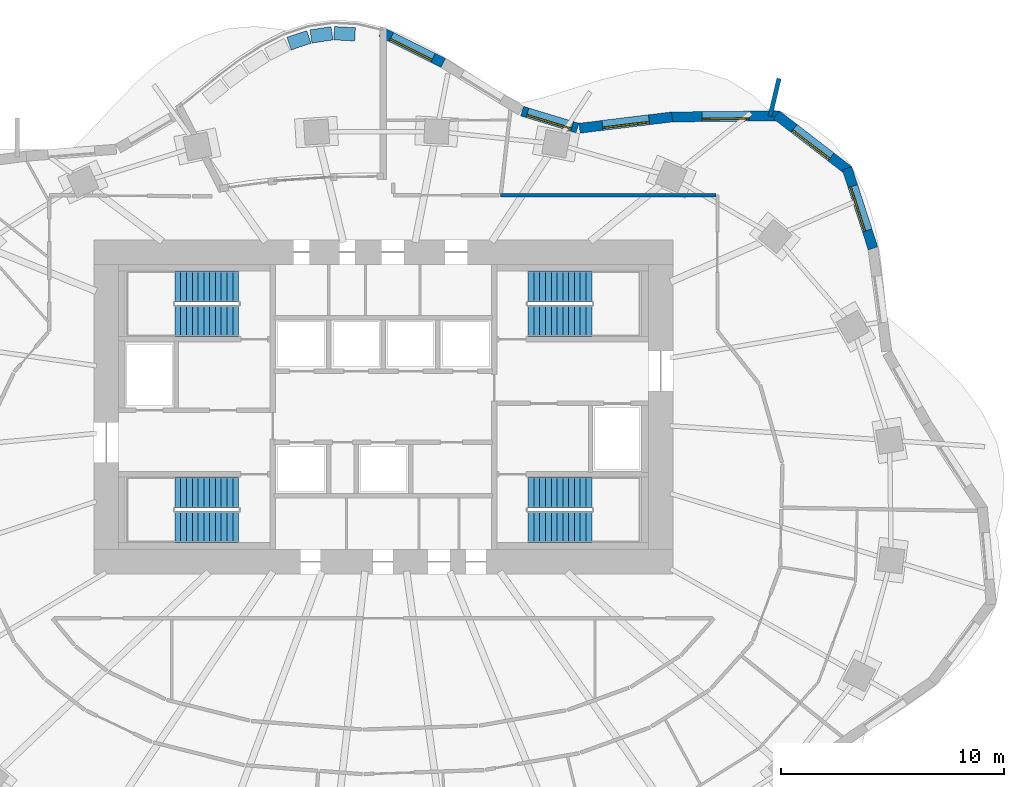
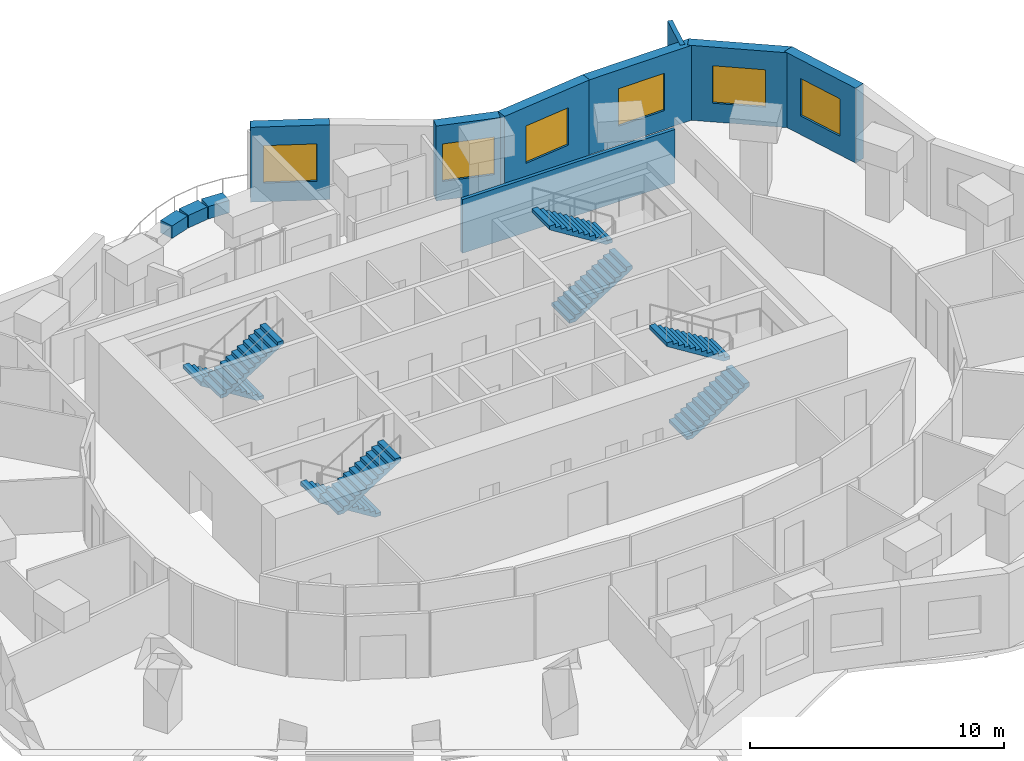
# One storey, part 10 of 11: 11 walls, 8 stair flights, 6 windows, 6 openings, 4 elements without a shape of their own.
"""IFC4 building model written with IfcOpenShell, lengths in metres."""

from ifc_helpers import new_model, si_unit, direction, frame, frame_2d, origin, place, context, subcontext, project, spatial, polyline, rectangle, outline, extrude, material, layer, layer_set, type_object, element, fill, aggregate, save


model = new_model("IFC4")

# Units and contexts
model_context = context("Model", 3, precision=1e-05, world=origin(), true_north=direction((0.0, 1.0)))
body_context = subcontext(model_context, "Body", "Model", "MODEL_VIEW")
ifc_project = project(units=[si_unit("LENGTHUNIT", "METRE"), si_unit("AREAUNIT", "SQUARE_METRE"), si_unit("VOLUMEUNIT", "CUBIC_METRE"), si_unit("PLANEANGLEUNIT", "RADIAN"), si_unit("MASSUNIT", "GRAM", prefix="KILO")], contexts=[model_context])

# Site, building, storey
site_placement = place(None, origin())
site = spatial("IfcSite", under=ifc_project, at=site_placement, CompositionType="ELEMENT")
building_placement = place(site_placement, origin())
building = spatial("IfcBuilding", under=site, at=building_placement, Name="Rubra Terraces Tower", CompositionType="ELEMENT")
storey_placement = place(building_placement, frame((0.0, 0.0, 165.60009765625)))
storey = spatial("IfcBuildingStorey", under=building, at=storey_placement, Name="L40", CompositionType="ELEMENT", Elevation=165.60009765625)

# Wall, opening, window
ifc_material_1 = material(Name="Brick masonry red-brown", Category="masonry")
ifc_layer_1 = layer(ifc_material_1, 0.449951171875)
ifc_layer_set_1 = layer_set([ifc_layer_1], Name="Brick masonry red-brown")
wall_type_1 = type_object("IfcWallType", Name="Brick facade wall 450", PredefinedType="SOLIDWALL", material=ifc_layer_set_1)
wall_1_placement = place(storey_placement, frame((21.985595703125, 11.613037109375, 0.0), z_axis=(0.0, 0.0, 1.0), x_axis=(-0.308280636233, 0.95129545848, 0.0)))
wall_1 = element("IfcWall", 1, at=wall_1_placement, inside=storey, type_object=wall_type_1, Name="Facade wall L40 bay 4", PredefinedType="SOLIDWALL", context=body_context, shape_type="SweptSolid", body=[
    extrude(rectangle(XDim=3.783935546875, YDim=0.449951171875, at=frame_2d((1.89208984375, 0.0))), origin(), (0.0, 0.0, 1.0), 3.599853515625),
])
opening_1_placement = place(wall_1_placement, frame((0.842041015625, 0.0, 0.89990234375)))
opening_1 = element("IfcOpeningElement", 2, at=opening_1_placement, cuts=wall_1, Name="Opening W1Z", PredefinedType="OPENING", context=body_context, shape_type="SweptSolid", body=[
    extrude(rectangle(XDim=2.10009765625, YDim=1.800048828125, at=frame_2d((1.050048828125, 0.89990234375))), frame((0.0, 0.23486328125, 0.0), z_axis=(0.0, -1.0, 0.0), x_axis=(1.0, 0.0, 0.0)), (0.0, 0.0, 1.0), 0.469970703125),
])
ifc_material_2 = material(Name="Clear glass in aluminium frame", Category="aluminium")
window_type = type_object("IfcWindowType", Name="Fixed deep-set window under transfer level 2100 x 1800", PartitioningType="SINGLE_PANEL", PredefinedType="WINDOW", material=ifc_material_2)
window_1_placement = place(opening_1_placement, origin())
window_1 = element("IfcWindow", 3, at=window_1_placement, inside=storey, type_object=window_type, Name="Window L40 bay 4", OverallHeight=1.800048828125, OverallWidth=2.10009765625, PartitioningType="SINGLE_PANEL", PredefinedType="WINDOW", context=body_context, shape_type="SweptSolid", body=[
    extrude(rectangle(XDim=2.10009765625, YDim=1.800048828125, at=frame_2d((1.050048828125, 0.89990234375))), frame((0.0, 0.135009765625, 0.0), z_axis=(0.0, -1.0, 0.0), x_axis=(1.0, 0.0, 0.0)), (0.0, 0.0, 1.0), 0.06005859375),
])
fill(opening_1, window_1)

wall_2_placement = place(storey_placement, frame((20.8955078125, 15.10400390625, 0.0), z_axis=(0.0, 0.0, 1.0), x_axis=(-0.791693388686, 0.610918634771, 0.0)))
wall_2 = element("IfcWall", 4, at=wall_2_placement, inside=storey, type_object=wall_type_1, Name="Facade wall L40 bay 5", PredefinedType="SOLIDWALL", context=body_context, shape_type="SweptSolid", body=[
    extrude(rectangle(XDim=4.10009765625, YDim=0.449951171875, at=frame_2d((2.050048828125, 0.0))), origin(), (0.0, 0.0, 1.0), 3.599853515625),
])
opening_2_placement = place(wall_2_placement, frame((1.0, 0.0, 0.89990234375)))
opening_2 = element("IfcOpeningElement", 5, at=opening_2_placement, cuts=wall_2, Name="Opening W1Z", PredefinedType="OPENING", context=body_context, shape_type="SweptSolid", body=[
    extrude(rectangle(XDim=2.10009765625, YDim=1.800048828125, at=frame_2d((1.050048828125, 0.89990234375))), frame((0.0, 0.23486328125, 0.0), z_axis=(0.0, -1.0, 0.0), x_axis=(1.0, 0.0, 0.0)), (0.0, 0.0, 1.0), 0.469970703125),
])
window_2_placement = place(opening_2_placement, origin())
window_2 = element("IfcWindow", 6, at=window_2_placement, inside=storey, type_object=window_type, Name="Window L40 bay 5", OverallHeight=1.800048828125, OverallWidth=2.10009765625, PartitioningType="SINGLE_PANEL", PredefinedType="WINDOW", context=body_context, shape_type="SweptSolid", body=[
    extrude(rectangle(XDim=2.10009765625, YDim=1.800048828125, at=frame_2d((1.050048828125, 0.89990234375))), frame((0.0, 0.135009765625, 0.0), z_axis=(0.0, -1.0, 0.0), x_axis=(1.0, 0.0, 0.0)), (0.0, 0.0, 1.0), 0.06005859375),
])
fill(opening_2, window_2)

wall_3_placement = place(storey_placement, frame((17.786376953125, 17.56201171875, 0.0), z_axis=(0.0, 0.0, 1.0), x_axis=(-0.999950280333, -0.00997180335, 0.0)))
wall_3 = element("IfcWall", 7, at=wall_3_placement, inside=storey, type_object=wall_type_1, Name="Facade wall L40 bay 6", PredefinedType="SOLIDWALL", context=body_context, shape_type="SweptSolid", body=[
    extrude(rectangle(XDim=4.84765625, YDim=0.449951171875, at=frame_2d((2.423828125, 0.0))), origin(), (0.0, 0.0, 1.0), 3.599853515625),
])
opening_3_placement = place(wall_3_placement, frame((1.373779296875, 0.0, 0.89990234375)))
opening_3 = element("IfcOpeningElement", 8, at=opening_3_placement, cuts=wall_3, Name="Opening W1Z", PredefinedType="OPENING", context=body_context, shape_type="SweptSolid", body=[
    extrude(rectangle(XDim=2.10009765625, YDim=1.800048828125, at=frame_2d((1.050048828125, 0.89990234375))), frame((0.0, 0.23486328125, 0.0), z_axis=(0.0, -1.0, 0.0), x_axis=(1.0, 0.0, 0.0)), (0.0, 0.0, 1.0), 0.469970703125),
])
window_3_placement = place(opening_3_placement, origin())
window_3 = element("IfcWindow", 9, at=window_3_placement, inside=storey, type_object=window_type, Name="Window L40 bay 6", OverallHeight=1.800048828125, OverallWidth=2.10009765625, PartitioningType="SINGLE_PANEL", PredefinedType="WINDOW", context=body_context, shape_type="SweptSolid", body=[
    extrude(rectangle(XDim=2.10009765625, YDim=1.800048828125, at=frame_2d((1.050048828125, 0.89990234375))), frame((0.0, 0.135009765625, 0.0), z_axis=(0.0, -1.0, 0.0), x_axis=(1.0, 0.0, 0.0)), (0.0, 0.0, 1.0), 0.06005859375),
])
fill(opening_3, window_3)

wall_4_placement = place(storey_placement, frame((12.96337890625, 17.514892578125, 0.0), z_axis=(0.0, 0.0, 1.0), x_axis=(-0.992644852039, -0.121062784211, 0.0)))
wall_4 = element("IfcWall", 10, at=wall_4_placement, inside=storey, type_object=wall_type_1, Name="Facade wall L40 bay 7", PredefinedType="SOLIDWALL", context=body_context, shape_type="SweptSolid", body=[
    extrude(rectangle(XDim=4.1865234375, YDim=0.449951171875, at=frame_2d((2.09326171875, 0.0))), origin(), (0.0, 0.0, 1.0), 3.599853515625),
])
opening_4_placement = place(wall_4_placement, frame((1.04345703125, 0.0, 0.89990234375)))
opening_4 = element("IfcOpeningElement", 11, at=opening_4_placement, cuts=wall_4, Name="Opening W1Z", PredefinedType="OPENING", context=body_context, shape_type="SweptSolid", body=[
    extrude(rectangle(XDim=2.10009765625, YDim=1.800048828125, at=frame_2d((1.050048828125, 0.89990234375))), frame((0.0, 0.23486328125, 0.0), z_axis=(0.0, -1.0, 0.0), x_axis=(1.0, 0.0, 0.0)), (0.0, 0.0, 1.0), 0.469970703125),
])
window_4_placement = place(opening_4_placement, origin())
window_4 = element("IfcWindow", 12, at=window_4_placement, inside=storey, type_object=window_type, Name="Window L40 bay 7", OverallHeight=1.800048828125, OverallWidth=2.10009765625, PartitioningType="SINGLE_PANEL", PredefinedType="WINDOW", context=body_context, shape_type="SweptSolid", body=[
    extrude(rectangle(XDim=2.10009765625, YDim=1.800048828125, at=frame_2d((1.050048828125, 0.89990234375))), frame((0.0, 0.135009765625, 0.0), z_axis=(0.0, -1.0, 0.0), x_axis=(1.0, 0.0, 0.0)), (0.0, 0.0, 1.0), 0.06005859375),
])
fill(opening_4, window_4)

wall_5_placement = place(storey_placement, frame((8.718017578125, 17.0166015625, 0.0), z_axis=(0.0, 0.0, 1.0), x_axis=(-0.956643192195, 0.291262429482, 0.0)))
wall_5 = element("IfcWall", 13, at=wall_5_placement, inside=storey, type_object=wall_type_1, Name="Facade wall L40 bay 8", PredefinedType="SOLIDWALL", context=body_context, shape_type="SweptSolid", body=[
    extrude(rectangle(XDim=2.601806640625, YDim=0.449951171875, at=frame_2d((1.30078125, 0.0))), origin(), (0.0, 0.0, 1.0), 3.599853515625),
])
opening_5_placement = place(wall_5_placement, frame((0.2509765625, 0.0, 0.89990234375)))
opening_5 = element("IfcOpeningElement", 14, at=opening_5_placement, cuts=wall_5, Name="Opening W1Z", PredefinedType="OPENING", context=body_context, shape_type="SweptSolid", body=[
    extrude(rectangle(XDim=2.10009765625, YDim=1.800048828125, at=frame_2d((1.050048828125, 0.89990234375))), frame((0.0, 0.23486328125, 0.0), z_axis=(0.0, -1.0, 0.0), x_axis=(1.0, 0.0, 0.0)), (0.0, 0.0, 1.0), 0.469970703125),
])
window_5_placement = place(opening_5_placement, origin())
window_5 = element("IfcWindow", 15, at=window_5_placement, inside=storey, type_object=window_type, Name="Window L40 bay 8", OverallHeight=1.800048828125, OverallWidth=2.10009765625, PartitioningType="SINGLE_PANEL", PredefinedType="WINDOW", context=body_context, shape_type="SweptSolid", body=[
    extrude(rectangle(XDim=2.10009765625, YDim=1.800048828125, at=frame_2d((1.050048828125, 0.89990234375))), frame((0.0, 0.135009765625, 0.0), z_axis=(0.0, -1.0, 0.0), x_axis=(1.0, 0.0, 0.0)), (0.0, 0.0, 1.0), 0.06005859375),
])
fill(opening_5, window_5)

wall_6_placement = place(storey_placement, frame((2.685791015625, 19.935546875, 0.0), z_axis=(0.0, 0.0, 1.0), x_axis=(-0.893533051512, 0.448997422994, 0.0)))
wall_6 = element("IfcWall", 16, at=wall_6_placement, inside=storey, type_object=wall_type_1, Name="Facade wall L40 bay 10", PredefinedType="SOLIDWALL", context=body_context, shape_type="SweptSolid", body=[
    extrude(rectangle(XDim=3.118896484375, YDim=0.449951171875, at=frame_2d((1.5595703125, 0.0))), origin(), (0.0, 0.0, 1.0), 3.599853515625),
])
opening_6_placement = place(wall_6_placement, frame((0.509521484375, 0.0, 0.89990234375)))
opening_6 = element("IfcOpeningElement", 17, at=opening_6_placement, cuts=wall_6, Name="Opening W1Z", PredefinedType="OPENING", context=body_context, shape_type="SweptSolid", body=[
    extrude(rectangle(XDim=2.10009765625, YDim=1.800048828125, at=frame_2d((1.050048828125, 0.89990234375))), frame((0.0, 0.23486328125, 0.0), z_axis=(0.0, -1.0, 0.0), x_axis=(1.0, 0.0, 0.0)), (0.0, 0.0, 1.0), 0.469970703125),
])
window_6_placement = place(opening_6_placement, origin())
window_6 = element("IfcWindow", 18, at=window_6_placement, inside=storey, type_object=window_type, Name="Window L40 bay 10", OverallHeight=1.800048828125, OverallWidth=2.10009765625, PartitioningType="SINGLE_PANEL", PredefinedType="WINDOW", context=body_context, shape_type="SweptSolid", body=[
    extrude(rectangle(XDim=2.10009765625, YDim=1.800048828125, at=frame_2d((1.050048828125, 0.89990234375))), frame((0.0, 0.135009765625, 0.0), z_axis=(0.0, -1.0, 0.0), x_axis=(1.0, 0.0, 0.0)), (0.0, 0.0, 1.0), 0.06005859375),
])
fill(opening_6, window_6)

# Walls
ifc_layer_2 = layer(ifc_material_1, 0.199951171875)
ifc_layer_set_2 = layer_set([ifc_layer_2], Name="Brick masonry red-brown")
wall_type_2 = type_object("IfcWallType", Name="Brick wind fin 200", PredefinedType="SOLIDWALL", material=ifc_layer_set_2)
wall_7_placement = place(storey_placement, frame((17.362060546875, 17.5380859375, 0.0), z_axis=(0.0, 0.0, 1.0), x_axis=(0.230469860183, 0.973079464148, 0.0)))
element("IfcWall", 19, at=wall_7_placement, inside=storey, type_object=wall_type_2, Name="Wind fin L40 3", PredefinedType="SOLIDWALL", context=body_context, shape_type="SweptSolid", body=[
    extrude(rectangle(XDim=1.75, YDim=0.199951171875, at=frame_2d((0.875, 0.0))), origin(), (0.0, 0.0, 1.0), 3.599853515625),
])
ifc_material_3 = material(Name="Plasterboard on steel stud, mineral wool infill", Category="steel")
ifc_layer_3 = layer(ifc_material_3, 0.14990234375)
ifc_layer_set_3 = layer_set([ifc_layer_3], Name="Plasterboard on steel stud, mineral wool infill")
wall_type_3 = type_object("IfcWallType", Name="CORRIDOR PARTITION 150 LOW HEAD", PredefinedType="PARTITIONING", material=ifc_layer_set_3)
wall_8_placement = place(storey_placement, frame((14.925048828125, 14.0, 0.0), z_axis=(0.0, 0.0, 1.0), x_axis=(-1.0, 0.0, 0.0)))
element("IfcWall", 20, at=wall_8_placement, inside=storey, type_object=wall_type_3, Name="PARTITION", PredefinedType="PARTITIONING", context=body_context, shape_type="SweptSolid", body=[
    extrude(rectangle(XDim=9.65478515625, YDim=0.14990234375, at=frame_2d((4.827392578125, 0.0))), origin(), (0.0, 0.0, 1.0), 2.579833984375),
])
ifc_material_4 = material(Name="Brick masonry with ochre lime render", Category="masonry")
ifc_layer_4 = layer(ifc_material_4, 0.60009765625)
ifc_layer_set_4 = layer_set([ifc_layer_4], Name="Brick masonry with ochre lime render")
wall_type_4 = type_object("IfcWallType", Name="Planter box 600", PredefinedType="SOLIDWALL", material=ifc_layer_set_4)
wall_9_placement = place(storey_placement, frame((-1.271484375, 21.22509765625, 0.0), z_axis=(0.0, 0.0, 1.0), x_axis=(-0.998688685725, 0.051194814231, 0.0)))
element("IfcWall", 21, at=wall_9_placement, inside=storey, type_object=wall_type_4, Name="Planter L40.2", PredefinedType="SOLIDWALL", context=body_context, shape_type="SweptSolid", body=[
    extrude(rectangle(XDim=0.939453125, YDim=0.60009765625, at=frame_2d((0.4697265625, 0.0))), origin(), (0.0, 0.0, 1.0), 0.599853515625),
])
wall_10_placement = place(storey_placement, frame((-2.30908203125, 21.2685546875, 0.0), z_axis=(0.0, 0.0, 1.0), x_axis=(-0.989222762437, -0.146418326302, 0.0)))
element("IfcWall", 22, at=wall_10_placement, inside=storey, type_object=wall_type_4, Name="Planter L40.3", PredefinedType="SOLIDWALL", context=body_context, shape_type="SweptSolid", body=[
    extrude(rectangle(XDim=0.950439453125, YDim=0.60009765625, at=frame_2d((0.47509765625, 0.0))), origin(), (0.0, 0.0, 1.0), 0.599853515625),
])
wall_11_placement = place(storey_placement, frame((-3.34619140625, 21.106201171875, 0.0), z_axis=(0.0, 0.0, 1.0), x_axis=(-0.947867784323, -0.318663872197, 0.0)))
element("IfcWall", 23, at=wall_11_placement, inside=storey, type_object=wall_type_4, Name="Planter L40.4", PredefinedType="SOLIDWALL", context=body_context, shape_type="SweptSolid", body=[
    extrude(rectangle(XDim=0.931640625, YDim=0.60009765625, at=frame_2d((0.4658203125, 0.0))), origin(), (0.0, 0.0, 1.0), 0.599853515625),
])

# Stair, stair flights
ifc_material_5 = material(Name="Concrete C40", Category="concrete")
stair_type = type_object("IfcStairType", Name="Core stair 1400", PredefinedType="HALF_TURN_STAIR", material=ifc_material_5)
stair_1_placement = place(storey_placement, origin())
stair_1 = element("IfcStair", 24, at=stair_1_placement, inside=storey, type_object=stair_type, Name="L40 Exit stair S1", PredefinedType="HALF_TURN_STAIR")
stair_flight_type = type_object("IfcStairFlightType", Name="Core stair flight 1400", PredefinedType="STRAIGHT", material=ifc_material_5)
stair_flight_1_placement = place(storey_placement, frame((-6.5, 0.64990234375, 0.0), z_axis=(0.0, 0.0, 1.0), x_axis=(-1.0, 0.0, 0.0)))
stair_flight_1 = element("IfcStairFlight", 25, at=stair_flight_1_placement, type_object=stair_flight_type, Name="S1 flight 1", NumberOfRisers=12, NumberOfTreads=11, PredefinedType="STRAIGHT", RiserHeight=0.1625, TreadLength=0.26, context=body_context, shape_type="SweptSolid", body=[
    extrude(outline(polyline([(0.0, 0.0), (0.0, 0.16259765625), (0.260009765625, 0.16259765625), (0.260009765625, 0.324951171875), (0.52001953125, 0.324951171875), (0.52001953125, 0.487548828125), (0.780029296875, 0.487548828125), (0.780029296875, 0.64990234375), (1.0400390625, 0.64990234375), (1.0400390625, 0.8125), (1.300048828125, 0.8125), (1.300048828125, 0.97509765625), (1.56005859375, 0.97509765625), (1.56005859375, 1.137451171875), (1.820068359375, 1.137451171875), (1.820068359375, 1.300048828125), (2.080078125, 1.300048828125), (2.080078125, 1.46240234375), (2.340087890625, 1.46240234375), (2.340087890625, 1.625), (2.60009765625, 1.625), (2.60009765625, 1.78759765625), (2.860107421875, 1.78759765625), (2.860107421875, 1.949951171875), (2.860107421875, 1.61083984375), (0.28271484375, 0.0), (0.0, 0.0)])), frame((0.0, 0.699951171875, 0.0), z_axis=(0.0, -1.0, 0.0), x_axis=(1.0, 0.0, 0.0)), (0.0, 0.0, 1.0), 1.39990234375),
])
stair_flight_2_placement = place(storey_placement, frame((-9.360107421875, -0.89990234375, 1.949951171875), z_axis=(0.0, 0.0, 1.0), x_axis=(1.0, 0.0, 0.0)))
stair_flight_2 = element("IfcStairFlight", 26, at=stair_flight_2_placement, type_object=stair_flight_type, Name="S1 flight 2", NumberOfRisers=12, NumberOfTreads=11, PredefinedType="STRAIGHT", RiserHeight=0.1625, TreadLength=0.26, context=body_context, shape_type="SweptSolid", body=[
    extrude(outline(polyline([(0.0, 0.0), (0.0, 0.16259765625), (0.260009765625, 0.16259765625), (0.260009765625, 0.324951171875), (0.52001953125, 0.324951171875), (0.52001953125, 0.487548828125), (0.780029296875, 0.487548828125), (0.780029296875, 0.64990234375), (1.0400390625, 0.64990234375), (1.0400390625, 0.8125), (1.300048828125, 0.8125), (1.300048828125, 0.97509765625), (1.56005859375, 0.97509765625), (1.56005859375, 1.137451171875), (1.820068359375, 1.137451171875), (1.820068359375, 1.300048828125), (2.080078125, 1.300048828125), (2.080078125, 1.46240234375), (2.340087890625, 1.46240234375), (2.340087890625, 1.625), (2.60009765625, 1.625), (2.60009765625, 1.78759765625), (2.860107421875, 1.78759765625), (2.860107421875, 1.949951171875), (2.860107421875, 1.61083984375), (0.28271484375, 0.0), (0.0, 0.0)])), frame((0.0, 0.699951171875, 0.0), z_axis=(0.0, -1.0, 0.0), x_axis=(1.0, 0.0, 0.0)), (0.0, 0.0, 1.0), 1.39990234375),
])
aggregate(stair_1, [stair_flight_1, stair_flight_2])

stair_2_placement = place(storey_placement, origin())
stair_2 = element("IfcStair", 27, at=stair_2_placement, inside=storey, type_object=stair_type, Name="L40 Exit stair S2", PredefinedType="HALF_TURN_STAIR")
stair_flight_3_placement = place(storey_placement, frame((-6.5, 9.89990234375, 0.0), z_axis=(0.0, 0.0, 1.0), x_axis=(-1.0, 0.0, 0.0)))
stair_flight_3 = element("IfcStairFlight", 28, at=stair_flight_3_placement, type_object=stair_flight_type, Name="S2 flight 1", NumberOfRisers=12, NumberOfTreads=11, PredefinedType="STRAIGHT", RiserHeight=0.1625, TreadLength=0.26, context=body_context, shape_type="SweptSolid", body=[
    extrude(outline(polyline([(0.0, 0.0), (0.0, 0.16259765625), (0.260009765625, 0.16259765625), (0.260009765625, 0.324951171875), (0.52001953125, 0.324951171875), (0.52001953125, 0.487548828125), (0.780029296875, 0.487548828125), (0.780029296875, 0.64990234375), (1.0400390625, 0.64990234375), (1.0400390625, 0.8125), (1.300048828125, 0.8125), (1.300048828125, 0.97509765625), (1.56005859375, 0.97509765625), (1.56005859375, 1.137451171875), (1.820068359375, 1.137451171875), (1.820068359375, 1.300048828125), (2.080078125, 1.300048828125), (2.080078125, 1.46240234375), (2.340087890625, 1.46240234375), (2.340087890625, 1.625), (2.60009765625, 1.625), (2.60009765625, 1.78759765625), (2.860107421875, 1.78759765625), (2.860107421875, 1.949951171875), (2.860107421875, 1.61083984375), (0.28271484375, 0.0), (0.0, 0.0)])), frame((0.0, 0.699951171875, 0.0), z_axis=(0.0, -1.0, 0.0), x_axis=(1.0, 0.0, 0.0)), (0.0, 0.0, 1.0), 1.39990234375),
])
stair_flight_4_placement = place(storey_placement, frame((-9.360107421875, 8.35009765625, 1.949951171875), z_axis=(0.0, 0.0, 1.0), x_axis=(1.0, 0.0, 0.0)))
stair_flight_4 = element("IfcStairFlight", 29, at=stair_flight_4_placement, type_object=stair_flight_type, Name="S2 flight 2", NumberOfRisers=12, NumberOfTreads=11, PredefinedType="STRAIGHT", RiserHeight=0.1625, TreadLength=0.26, context=body_context, shape_type="SweptSolid", body=[
    extrude(outline(polyline([(0.0, 0.0), (0.0, 0.16259765625), (0.260009765625, 0.16259765625), (0.260009765625, 0.324951171875), (0.52001953125, 0.324951171875), (0.52001953125, 0.487548828125), (0.780029296875, 0.487548828125), (0.780029296875, 0.64990234375), (1.0400390625, 0.64990234375), (1.0400390625, 0.8125), (1.300048828125, 0.8125), (1.300048828125, 0.97509765625), (1.56005859375, 0.97509765625), (1.56005859375, 1.137451171875), (1.820068359375, 1.137451171875), (1.820068359375, 1.300048828125), (2.080078125, 1.300048828125), (2.080078125, 1.46240234375), (2.340087890625, 1.46240234375), (2.340087890625, 1.625), (2.60009765625, 1.625), (2.60009765625, 1.78759765625), (2.860107421875, 1.78759765625), (2.860107421875, 1.949951171875), (2.860107421875, 1.61083984375), (0.28271484375, 0.0), (0.0, 0.0)])), frame((0.0, 0.699951171875, 0.0), z_axis=(0.0, -1.0, 0.0), x_axis=(1.0, 0.0, 0.0)), (0.0, 0.0, 1.0), 1.39990234375),
])
aggregate(stair_2, [stair_flight_3, stair_flight_4])

stair_3_placement = place(storey_placement, origin())
stair_3 = element("IfcStair", 30, at=stair_3_placement, inside=storey, type_object=stair_type, Name="L40 Exit stair S3", PredefinedType="HALF_TURN_STAIR")
stair_flight_5_placement = place(storey_placement, frame((6.5, 8.35009765625, 0.0), z_axis=(0.0, 0.0, 1.0), x_axis=(1.0, 0.0, 0.0)))
stair_flight_5 = element("IfcStairFlight", 31, at=stair_flight_5_placement, type_object=stair_flight_type, Name="S3 flight 1", NumberOfRisers=12, NumberOfTreads=11, PredefinedType="STRAIGHT", RiserHeight=0.1625, TreadLength=0.26, context=body_context, shape_type="SweptSolid", body=[
    extrude(outline(polyline([(0.0, 0.0), (0.0, 0.16259765625), (0.260009765625, 0.16259765625), (0.260009765625, 0.324951171875), (0.52001953125, 0.324951171875), (0.52001953125, 0.487548828125), (0.780029296875, 0.487548828125), (0.780029296875, 0.64990234375), (1.0400390625, 0.64990234375), (1.0400390625, 0.8125), (1.300048828125, 0.8125), (1.300048828125, 0.97509765625), (1.56005859375, 0.97509765625), (1.56005859375, 1.137451171875), (1.820068359375, 1.137451171875), (1.820068359375, 1.300048828125), (2.080078125, 1.300048828125), (2.080078125, 1.46240234375), (2.340087890625, 1.46240234375), (2.340087890625, 1.625), (2.60009765625, 1.625), (2.60009765625, 1.78759765625), (2.860107421875, 1.78759765625), (2.860107421875, 1.949951171875), (2.860107421875, 1.61083984375), (0.28271484375, 0.0), (0.0, 0.0)])), frame((0.0, 0.699951171875, 0.0), z_axis=(0.0, -1.0, 0.0), x_axis=(1.0, 0.0, 0.0)), (0.0, 0.0, 1.0), 1.39990234375),
])
stair_flight_6_placement = place(storey_placement, frame((9.360107421875, 9.89990234375, 1.949951171875), z_axis=(0.0, 0.0, 1.0), x_axis=(-1.0, 0.0, 0.0)))
stair_flight_6 = element("IfcStairFlight", 32, at=stair_flight_6_placement, type_object=stair_flight_type, Name="S3 flight 2", NumberOfRisers=12, NumberOfTreads=11, PredefinedType="STRAIGHT", RiserHeight=0.1625, TreadLength=0.26, context=body_context, shape_type="SweptSolid", body=[
    extrude(outline(polyline([(0.0, 0.0), (0.0, 0.16259765625), (0.260009765625, 0.16259765625), (0.260009765625, 0.324951171875), (0.52001953125, 0.324951171875), (0.52001953125, 0.487548828125), (0.780029296875, 0.487548828125), (0.780029296875, 0.64990234375), (1.0400390625, 0.64990234375), (1.0400390625, 0.8125), (1.300048828125, 0.8125), (1.300048828125, 0.97509765625), (1.56005859375, 0.97509765625), (1.56005859375, 1.137451171875), (1.820068359375, 1.137451171875), (1.820068359375, 1.300048828125), (2.080078125, 1.300048828125), (2.080078125, 1.46240234375), (2.340087890625, 1.46240234375), (2.340087890625, 1.625), (2.60009765625, 1.625), (2.60009765625, 1.78759765625), (2.860107421875, 1.78759765625), (2.860107421875, 1.949951171875), (2.860107421875, 1.61083984375), (0.28271484375, 0.0), (0.0, 0.0)])), frame((0.0, 0.699951171875, 0.0), z_axis=(0.0, -1.0, 0.0), x_axis=(1.0, 0.0, 0.0)), (0.0, 0.0, 1.0), 1.39990234375),
])
aggregate(stair_3, [stair_flight_5, stair_flight_6])

stair_4_placement = place(storey_placement, origin())
stair_4 = element("IfcStair", 33, at=stair_4_placement, inside=storey, type_object=stair_type, Name="L40 Exit stair S4", PredefinedType="HALF_TURN_STAIR")
stair_flight_7_placement = place(storey_placement, frame((6.5, -0.89990234375, 0.0), z_axis=(0.0, 0.0, 1.0), x_axis=(1.0, 0.0, 0.0)))
stair_flight_7 = element("IfcStairFlight", 34, at=stair_flight_7_placement, type_object=stair_flight_type, Name="S4 flight 1", NumberOfRisers=12, NumberOfTreads=11, PredefinedType="STRAIGHT", RiserHeight=0.1625, TreadLength=0.26, context=body_context, shape_type="SweptSolid", body=[
    extrude(outline(polyline([(0.0, 0.0), (0.0, 0.16259765625), (0.260009765625, 0.16259765625), (0.260009765625, 0.324951171875), (0.52001953125, 0.324951171875), (0.52001953125, 0.487548828125), (0.780029296875, 0.487548828125), (0.780029296875, 0.64990234375), (1.0400390625, 0.64990234375), (1.0400390625, 0.8125), (1.300048828125, 0.8125), (1.300048828125, 0.97509765625), (1.56005859375, 0.97509765625), (1.56005859375, 1.137451171875), (1.820068359375, 1.137451171875), (1.820068359375, 1.300048828125), (2.080078125, 1.300048828125), (2.080078125, 1.46240234375), (2.340087890625, 1.46240234375), (2.340087890625, 1.625), (2.60009765625, 1.625), (2.60009765625, 1.78759765625), (2.860107421875, 1.78759765625), (2.860107421875, 1.949951171875), (2.860107421875, 1.61083984375), (0.28271484375, 0.0), (0.0, 0.0)])), frame((0.0, 0.699951171875, 0.0), z_axis=(0.0, -1.0, 0.0), x_axis=(1.0, 0.0, 0.0)), (0.0, 0.0, 1.0), 1.39990234375),
])
stair_flight_8_placement = place(storey_placement, frame((9.360107421875, 0.64990234375, 1.949951171875), z_axis=(0.0, 0.0, 1.0), x_axis=(-1.0, 0.0, 0.0)))
stair_flight_8 = element("IfcStairFlight", 35, at=stair_flight_8_placement, type_object=stair_flight_type, Name="S4 flight 2", NumberOfRisers=12, NumberOfTreads=11, PredefinedType="STRAIGHT", RiserHeight=0.1625, TreadLength=0.26, context=body_context, shape_type="SweptSolid", body=[
    extrude(outline(polyline([(0.0, 0.0), (0.0, 0.16259765625), (0.260009765625, 0.16259765625), (0.260009765625, 0.324951171875), (0.52001953125, 0.324951171875), (0.52001953125, 0.487548828125), (0.780029296875, 0.487548828125), (0.780029296875, 0.64990234375), (1.0400390625, 0.64990234375), (1.0400390625, 0.8125), (1.300048828125, 0.8125), (1.300048828125, 0.97509765625), (1.56005859375, 0.97509765625), (1.56005859375, 1.137451171875), (1.820068359375, 1.137451171875), (1.820068359375, 1.300048828125), (2.080078125, 1.300048828125), (2.080078125, 1.46240234375), (2.340087890625, 1.46240234375), (2.340087890625, 1.625), (2.60009765625, 1.625), (2.60009765625, 1.78759765625), (2.860107421875, 1.78759765625), (2.860107421875, 1.949951171875), (2.860107421875, 1.61083984375), (0.28271484375, 0.0), (0.0, 0.0)])), frame((0.0, 0.699951171875, 0.0), z_axis=(0.0, -1.0, 0.0), x_axis=(1.0, 0.0, 0.0)), (0.0, 0.0, 1.0), 1.39990234375),
])
aggregate(stair_4, [stair_flight_7, stair_flight_8])

save(model, "model.ifc")
